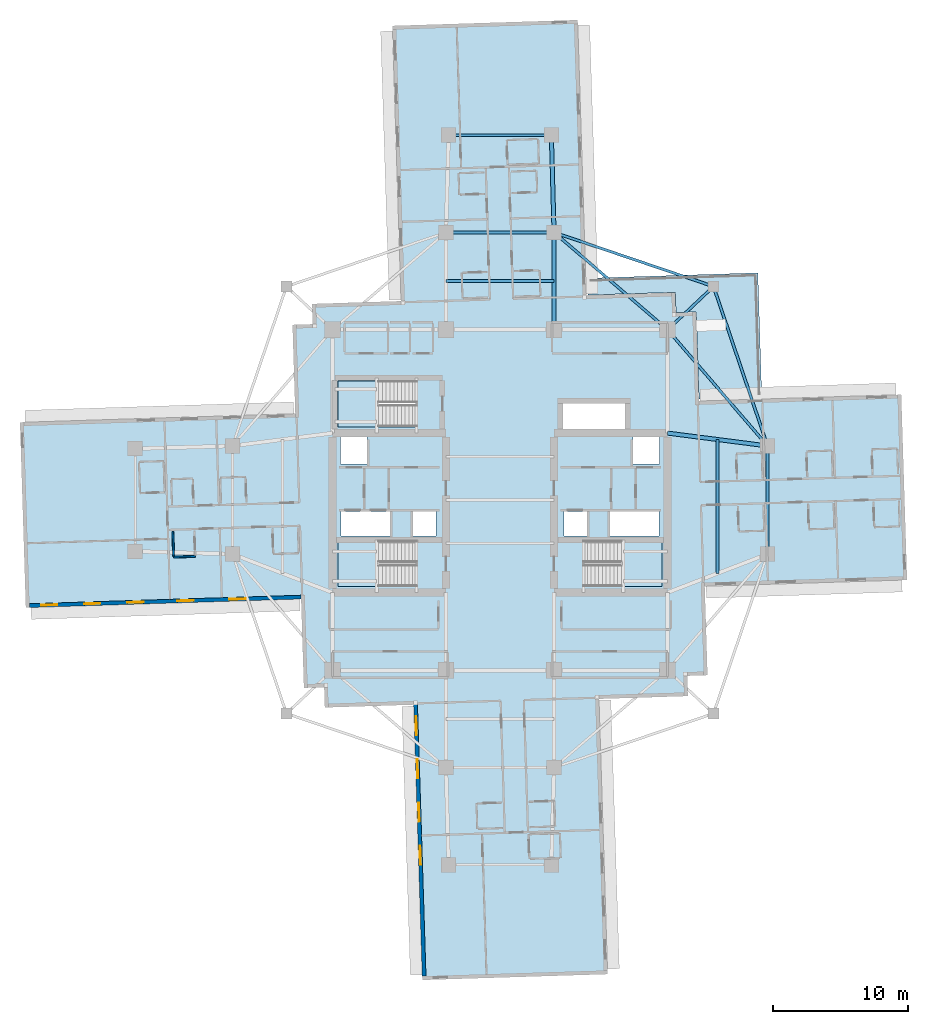
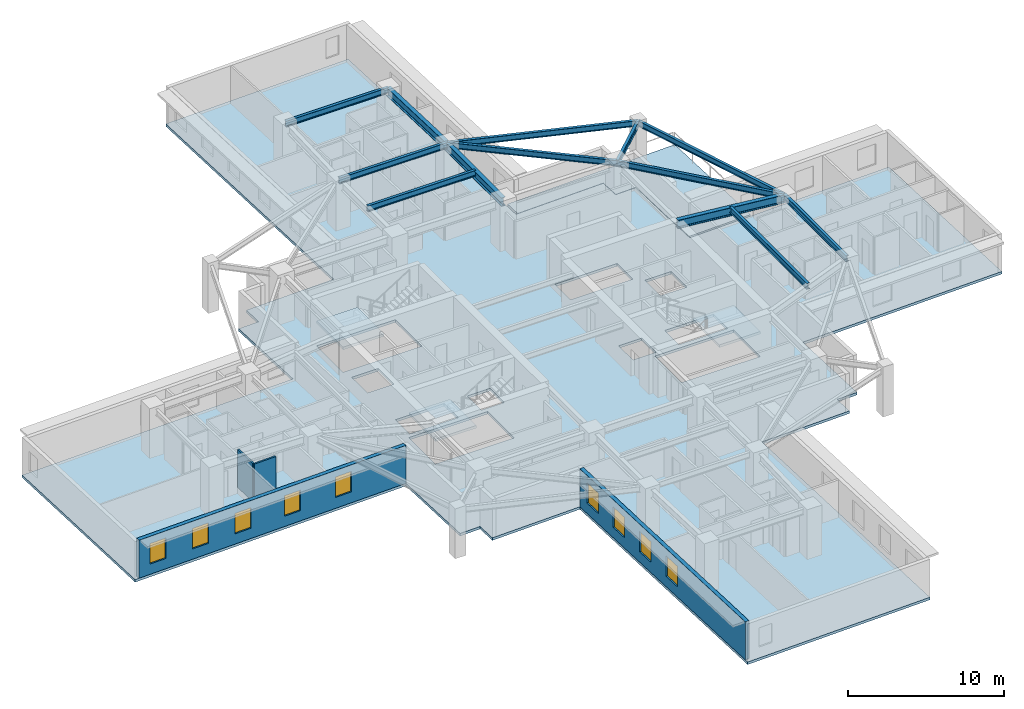
# One storey, part 2 of 14: 13 beams, 9 windows, 5 slabs, 4 walls, 9 openings, 3 elements without a shape of their own.
"""IFC4 building model written with IfcOpenShell, lengths in metres."""

from ifc_helpers import new_model, si_unit, direction, frame, frame_2d, origin, origin_2d, place, context, subcontext, project, spatial, polyline, rectangle, i_section, outline, extrude, material, layer, layer_set, material_profile, profile_set, type_object, element, fill, aggregate, save


model = new_model("IFC4")

# Units and contexts
model_context = context("Model", 3, precision=1e-05, world=origin(), true_north=direction((0.0, 1.0)))
body_context = subcontext(model_context, "Body", "Model", "MODEL_VIEW")
ifc_project = project(units=[si_unit("LENGTHUNIT", "METRE"), si_unit("AREAUNIT", "SQUARE_METRE"), si_unit("VOLUMEUNIT", "CUBIC_METRE"), si_unit("PLANEANGLEUNIT", "RADIAN"), si_unit("MASSUNIT", "GRAM", prefix="KILO")], contexts=[model_context])

# Site, building, storey
site_placement = place(None, origin())
site = spatial("IfcSite", under=ifc_project, at=site_placement, CompositionType="ELEMENT")
building_placement = place(site_placement, origin())
building = spatial("IfcBuilding", under=site, at=building_placement, Name="Qingluan Cross Belvedere", CompositionType="ELEMENT")
storey_placement = place(building_placement, frame((0.0, 0.0, 135.89990234375)))
storey = spatial("IfcBuildingStorey", under=building, at=storey_placement, Name="L34", CompositionType="ELEMENT", Elevation=135.89990234375)

# Beams
ifc_material_1 = material(Name="Steel Q420GJB", Category="steel")
ifc_material_profile_1 = material_profile(ifc_material_1, i_section(OverallWidth=0.199951171875, OverallDepth=0.449951171875, WebThickness=0.009033203125, FlangeThickness=0.013916015625, FilletRadius=0.01611328125, at=origin_2d()), Name="HN450x200x9x14")
ifc_profile_set_1 = profile_set([ifc_material_profile_1], Name="Steel Q420GJB")
beam_type_1 = type_object("IfcBeamType", Name="Steel_Beam_HN450x200x9x14", PredefinedType="JOIST", material=ifc_profile_set_1)
beam_1_placement = place(storey_placement, frame((12.39990234375, 12.60009765625, 3.47509765625), z_axis=(0.728219948308, 0.685343495546, 0.0), x_axis=(-0.685343495546, 0.728219948308, 0.0)))
element("IfcBeam", 1, at=beam_1_placement, inside=storey, type_object=beam_type_1, Name="Corner beam 1 L34-RNE", PredefinedType="JOIST", context=body_context, shape_type="SweptSolid", body=[
    extrude(i_section(OverallWidth=0.199951171875, OverallDepth=0.449951171875, WebThickness=0.009033203125, FlangeThickness=0.013916015625, FilletRadius=0.01611328125, at=origin_2d()), origin(), (0.0, 0.0, 1.0), 4.669189453125),
])
for number, where, z_axis, x_axis, name in (
    (2, (15.800048828125, 15.800048828125, 3.47509765625), (-0.947066283324, 0.321038089628, 0.0), (-0.321038089628, -0.947066283324, 0.0), "Corner beam 2 L34-RNE"),
    (3, (15.800048828125, 15.800048828125, 3.47509765625), (0.321038089628, -0.947066283324, 0.0), (0.947066283324, 0.321038089628, 0.0), "Corner beam 3 L34-RNE"),
):
    element("IfcBeam", number, at=place(storey_placement, frame(where, z_axis=z_axis, x_axis=x_axis)), inside=storey, type_object=beam_type_1, Name=name, PredefinedType="JOIST", context=body_context, shape_type="SweptSolid", body=[
        extrude(i_section(OverallWidth=0.199951171875, OverallDepth=0.449951171875, WebThickness=0.009033203125, FlangeThickness=0.013916015625, FilletRadius=0.01611328125, at=origin_2d()), origin(), (0.0, 0.0, 1.0), 12.45947265625),
    ])
beam_2_placement = place(storey_placement, frame((12.39990234375, 12.60009765625, 3.47509765625), z_axis=(0.652245077546, -0.75800815221, 0.0), x_axis=(0.75800815221, 0.652245077546, 0.0)))
element("IfcBeam", 4, at=beam_2_placement, inside=storey, type_object=beam_type_1, Name="Corner beam 4 L34-RNE", PredefinedType="JOIST", context=body_context, shape_type="SweptSolid", body=[
    extrude(i_section(OverallWidth=0.199951171875, OverallDepth=0.449951171875, WebThickness=0.009033203125, FlangeThickness=0.013916015625, FilletRadius=0.01611328125, at=origin_2d()), origin(), (0.0, 0.0, 1.0), 11.345703125),
])
beam_3_placement = place(storey_placement, frame((12.39990234375, 12.60009765625, 3.47509765625), z_axis=(-0.759255044656, 0.650793190779, 0.0), x_axis=(-0.650793190779, -0.759255044656, 0.0)))
element("IfcBeam", 5, at=beam_3_placement, inside=storey, type_object=beam_type_1, Name="Corner beam 5 L34-RNE", PredefinedType="JOIST", context=body_context, shape_type="SweptSolid", body=[
    extrude(i_section(OverallWidth=0.199951171875, OverallDepth=0.449951171875, WebThickness=0.009033203125, FlangeThickness=0.013916015625, FilletRadius=0.01611328125, at=origin_2d()), origin(), (0.0, 0.0, 1.0), 11.063232421875),
])
beam_4_placement = place(storey_placement, frame((19.800048828125, -4.0, 3.47509765625), z_axis=(0.0, 1.0, 0.0), x_axis=(-1.0, 0.0, 0.0)))
element("IfcBeam", 6, at=beam_4_placement, inside=storey, type_object=beam_type_1, Name="Arm E tie L34", PredefinedType="JOIST", context=body_context, shape_type="SweptSolid", body=[
    extrude(i_section(OverallWidth=0.199951171875, OverallDepth=0.449951171875, WebThickness=0.009033203125, FlangeThickness=0.013916015625, FilletRadius=0.01611328125, at=origin_2d()), origin(), (0.0, 0.0, 1.0), 8.0),
])
beam_5_placement = place(storey_placement, frame((16.10009765625, -5.425048828125, 3.47509765625), z_axis=(0.0, 1.0, 0.0), x_axis=(-1.0, 0.0, 0.0)))
element("IfcBeam", 7, at=beam_5_placement, inside=storey, type_object=beam_type_1, Name="Arm E beam L34", PredefinedType="JOIST", context=body_context, shape_type="SweptSolid", body=[
    extrude(i_section(OverallWidth=0.199951171875, OverallDepth=0.449951171875, WebThickness=0.009033203125, FlangeThickness=0.013916015625, FilletRadius=0.01611328125, at=origin_2d()), origin(), (0.0, 0.0, 1.0), 9.900146484375),
])
for number, where, z_axis, x_axis, name in (
    (8, (-4.0, 19.800048828125, 3.47509765625), (1.0, 0.0, 0.0), (0.0, 1.0, 0.0), "Arm N tie L34"),
    (9, (-4.0, 16.199951171875, 3.47509765625), (1.0, 0.0, 0.0), (0.0, 1.0, 0.0), "Arm N beam L34"),
):
    element("IfcBeam", number, at=place(storey_placement, frame(where, z_axis=z_axis, x_axis=x_axis)), inside=storey, type_object=beam_type_1, Name=name, PredefinedType="JOIST", context=body_context, shape_type="SweptSolid", body=[
        extrude(i_section(OverallWidth=0.199951171875, OverallDepth=0.449951171875, WebThickness=0.009033203125, FlangeThickness=0.013916015625, FilletRadius=0.01611328125, at=origin_2d()), origin(), (0.0, 0.0, 1.0), 8.0),
    ])
beam_6_placement = place(storey_placement, frame((-3.800048828125, 27.0, 3.47509765625), z_axis=(1.0, 0.0, 0.0), x_axis=(0.0, 1.0, 0.0)))
element("IfcBeam", 10, at=beam_6_placement, inside=storey, type_object=beam_type_1, Name="Arm N tip transverse beam L34", PredefinedType="JOIST", context=body_context, shape_type="SweptSolid", body=[
    extrude(i_section(OverallWidth=0.199951171875, OverallDepth=0.449951171875, WebThickness=0.009033203125, FlangeThickness=0.013916015625, FilletRadius=0.01611328125, at=origin_2d()), origin(), (0.0, 0.0, 1.0), 7.60009765625),
])
ifc_material_2 = material(Name="Steel Q420GJB", Category="steel")
ifc_material_profile_2 = material_profile(ifc_material_2, i_section(OverallWidth=0.300048828125, OverallDepth=0.64990234375, WebThickness=0.014404296875, FlangeThickness=0.02587890625, FilletRadius=0.027099609375, at=origin_2d()), Name="HEB650")
ifc_profile_set_2 = profile_set([ifc_material_profile_2], Name="Steel Q420GJB")
beam_type_2 = type_object("IfcBeamType", Name="Steel_Girder_HEB650", PredefinedType="USERDEFINED", material=ifc_profile_set_2)
beam_7_placement = place(storey_placement, frame((12.39990234375, 4.949951171875, 3.375), z_axis=(0.991861120628, -0.12732445714, 0.0), x_axis=(0.12732445714, 0.991861120628, 0.0)))
element("IfcBeam", 11, at=beam_7_placement, inside=storey, type_object=beam_type_2, Name="Arm E radial girder B L34", ObjectType="GIRDER", PredefinedType="USERDEFINED", context=body_context, shape_type="SweptSolid", body=[
    extrude(i_section(OverallWidth=0.300048828125, OverallDepth=0.64990234375, WebThickness=0.014404296875, FlangeThickness=0.02587890625, FilletRadius=0.027099609375, at=origin_2d()), origin(), (0.0, 0.0, 1.0), 7.4609375),
])
beam_8_placement = place(storey_placement, frame((4.0, 12.60009765625, 3.375), z_axis=(0.0, 1.0, 0.0), x_axis=(-1.0, 0.0, 0.0)))
element("IfcBeam", 12, at=beam_8_placement, inside=storey, type_object=beam_type_2, Name="Arm N radial girder B L34", ObjectType="GIRDER", PredefinedType="USERDEFINED", context=body_context, shape_type="SweptSolid", body=[
    extrude(i_section(OverallWidth=0.300048828125, OverallDepth=0.64990234375, WebThickness=0.014404296875, FlangeThickness=0.02587890625, FilletRadius=0.027099609375, at=origin_2d()), origin(), (0.0, 0.0, 1.0), 7.199951171875),
])
beam_9_placement = place(storey_placement, frame((4.0, 19.800048828125, 3.375), z_axis=(-0.027760481514, 0.999614603568, 0.0), x_axis=(-0.999614603568, -0.027760481514, 0.0)))
element("IfcBeam", 13, at=beam_9_placement, inside=storey, type_object=beam_type_2, Name="Arm N outer radial girder B L34", ObjectType="GIRDER", PredefinedType="USERDEFINED", context=body_context, shape_type="SweptSolid", body=[
    extrude(i_section(OverallWidth=0.300048828125, OverallDepth=0.64990234375, WebThickness=0.014404296875, FlangeThickness=0.02587890625, FilletRadius=0.027099609375, at=origin_2d()), origin(), (0.0, 0.0, 1.0), 7.20263671875),
])

# Slab
ifc_material_3 = material(Name="Concrete C40", Category="concrete")
ifc_layer_1 = layer(ifc_material_3, 0.199951171875, Name="FloorSlab_200")
ifc_layer_set_1 = layer_set([ifc_layer_1], Name="Concrete C40")
slab_type_1 = type_object("IfcSlabType", Name="FloorSlab_200", PredefinedType="FLOOR", material=ifc_layer_set_1)
slab_1_placement = place(storey_placement, frame((0.0, 0.0, -0.199951171875)))
element("IfcSlab", 14, at=slab_1_placement, inside=storey, type_object=slab_type_1, Name="Structural floor slab L34", PredefinedType="FLOOR", context=body_context, shape_type="SweptSolid", body=[
    extrude(outline(polyline([(7.966064453125, -35.087158203125), (7.325927734375, -14.71728515625), (13.902587890625, -14.510498046875), (13.85546875, -13.01123046875), (15.354736328125, -12.964111328125), (15.148193359375, -6.38720703125), (30.12060546875, -5.916748046875), (29.689697265625, 7.79638671875), (14.71728515625, 7.325927734375), (14.510498046875, 13.902587890625), (13.01123046875, 13.85546875), (12.964111328125, 15.354736328125), (6.38720703125, 15.148193359375), (5.747314453125, 35.51806640625), (-7.966064453125, 35.087158203125), (-7.325927734375, 14.71728515625), (-13.902587890625, 14.510498046875), (-13.85546875, 13.01123046875), (-15.354736328125, 12.964111328125), (-15.148193359375, 6.38720703125), (-35.51806640625, 5.747314453125), (-35.087158203125, -7.966064453125), (-14.71728515625, -7.325927734375), (-14.510498046875, -13.902587890625), (-13.01123046875, -13.85546875), (-12.964111328125, -15.354736328125), (-6.38720703125, -15.148193359375), (-5.747314453125, -35.51806640625), (7.966064453125, -35.087158203125)]), holes=[polyline([(-12.0, -3.0), (-6.179931640625, -3.0), (-6.179931640625, -6.39990234375), (-12.0, -6.39990234375), (-12.0, -3.0)]), polyline([(6.179931640625, -3.0), (12.0, -3.0), (12.0, -6.39990234375), (6.179931640625, -6.39990234375), (6.179931640625, -3.0)]), polyline([(-12.0, 8.820068359375), (-6.179931640625, 8.820068359375), (-6.179931640625, 5.419921875), (-12.0, 5.419921875), (-12.0, 8.820068359375)]), polyline([(-11.800048828125, 4.64990234375), (-9.85009765625, 4.64990234375), (-9.85009765625, 2.64990234375), (-11.800048828125, 2.64990234375), (-11.800048828125, 4.64990234375)]), polyline([(9.85009765625, 4.64990234375), (11.800048828125, 4.64990234375), (11.800048828125, 2.64990234375), (9.85009765625, 2.64990234375), (9.85009765625, 4.64990234375)]), polyline([(-11.75, -0.840087890625), (-8.14990234375, -0.840087890625), (-8.14990234375, -2.659912109375), (-11.75, -2.659912109375), (-11.75, -0.840087890625)]), polyline([(-6.449951171875, -0.840087890625), (-4.75, -0.840087890625), (-4.75, -2.659912109375), (-6.449951171875, -2.659912109375), (-6.449951171875, -0.840087890625)]), polyline([(4.75, -0.840087890625), (6.449951171875, -0.840087890625), (6.449951171875, -2.659912109375), (4.75, -2.659912109375), (4.75, -0.840087890625)]), polyline([(8.14990234375, -0.840087890625), (11.75, -0.840087890625), (11.75, -2.659912109375), (8.14990234375, -2.659912109375), (8.14990234375, -0.840087890625)]), polyline([(4.64990234375, 7.14990234375), (9.25, 7.14990234375), (9.25, 5.14990234375), (4.64990234375, 5.14990234375), (4.64990234375, 7.14990234375)])]), origin(), (0.0, 0.0, 1.0), 0.199951171875),
])

# Stair, slab
ifc_material_4 = material(Name="Concrete C40", Category="concrete")
stair_type = type_object("IfcStairType", Name="CoreDoglegStair_1620", PredefinedType="HALF_TURN_STAIR", material=ifc_material_4)
stair_1_placement = place(storey_placement, origin())
stair_1 = element("IfcStair", 15, at=stair_1_placement, inside=storey, type_object=stair_type, Name="L34 ST1", PredefinedType="HALF_TURN_STAIR")
ifc_material_5 = material(Name="Concrete C40", Category="concrete")
ifc_layer_2 = layer(ifc_material_5, 0.179931640625, Name="StairLandingSlab_180")
ifc_layer_set_2 = layer_set([ifc_layer_2], Name="Concrete C40")
slab_type_2 = type_object("IfcSlabType", Name="StairLandingSlab_180", PredefinedType="LANDING", material=ifc_layer_set_2)
slab_2_placement = place(storey_placement, frame((0.0, 0.0, 1.75)))
slab_2 = element("IfcSlab", 16, at=slab_2_placement, type_object=slab_type_2, Name="ST1 landing 1", PredefinedType="LANDING", context=body_context, shape_type="SweptSolid", body=[
    extrude(outline(polyline([(-8.97998046875, -3.0), (-12.0, -3.0), (-12.0, -6.39990234375), (-8.97998046875, -6.39990234375), (-8.97998046875, -3.0)])), origin(), (0.0, 0.0, 1.0), 0.2001953125),
])
aggregate(stair_1, [slab_2])

stair_2_placement = place(storey_placement, origin())
stair_2 = element("IfcStair", 17, at=stair_2_placement, inside=storey, type_object=stair_type, Name="L34 ST2", PredefinedType="HALF_TURN_STAIR")
slab_3_placement = place(storey_placement, frame((0.0, 0.0, 1.75)))
slab_3 = element("IfcSlab", 18, at=slab_3_placement, type_object=slab_type_2, Name="ST2 landing 1", PredefinedType="LANDING", context=body_context, shape_type="SweptSolid", body=[
    extrude(outline(polyline([(8.97998046875, -6.39990234375), (12.0, -6.39990234375), (12.0, -3.0), (8.97998046875, -3.0), (8.97998046875, -6.39990234375)])), origin(), (0.0, 0.0, 1.0), 0.2001953125),
])
aggregate(stair_2, [slab_3])

stair_3_placement = place(storey_placement, origin())
stair_3 = element("IfcStair", 19, at=stair_3_placement, inside=storey, type_object=stair_type, Name="L34 ST3", PredefinedType="HALF_TURN_STAIR")
slab_4_placement = place(storey_placement, frame((0.0, 0.0, 1.75)))
slab_4 = element("IfcSlab", 20, at=slab_4_placement, type_object=slab_type_2, Name="ST3 landing 1", PredefinedType="LANDING", context=body_context, shape_type="SweptSolid", body=[
    extrude(outline(polyline([(-8.97998046875, 8.820068359375), (-12.0, 8.820068359375), (-12.0, 5.419921875), (-8.97998046875, 5.419921875), (-8.97998046875, 8.820068359375)])), origin(), (0.0, 0.0, 1.0), 0.2001953125),
])
aggregate(stair_3, [slab_4])

# Slab
ifc_material_6 = material(Name="Concrete C40", Category="concrete")
ifc_layer_3 = layer(ifc_material_6, 0.219970703125, Name="TerraceSlab_220")
ifc_layer_set_3 = layer_set([ifc_layer_3], Name="Concrete C40")
slab_type_3 = type_object("IfcSlabType", Name="TerraceSlab_220", PredefinedType="FLOOR", material=ifc_layer_set_3)
slab_5_placement = place(storey_placement, frame((0.0, 0.0, -0.219970703125)))
element("IfcSlab", 21, at=slab_5_placement, inside=storey, type_object=slab_type_3, Name="Spiralling winter-garden terrace slab L34", PredefinedType="FLOOR", context=body_context, shape_type="SweptSolid", body=[
    extrude(outline(polyline([(6.527099609375, 15.16259765625), (12.969482421875, 15.36328125), (13.02099609375, 13.86572265625), (14.51025390625, 13.91259765625), (14.520263671875, 13.90478515625), (14.72265625, 7.466064453125), (19.37060546875, 7.6123046875), (19.08154296875, 16.8076171875), (6.48779296875, 16.411865234375), (6.527099609375, 15.16259765625)])), origin(), (0.0, 0.0, 1.0), 0.219970703125),
])

# Walls
ifc_material_7 = material(Name="Moisture-resistant gypsum board lining")
ifc_layer_4 = layer(ifc_material_7, 0.1201171875, Name="EnsuiteWetPartition_120")
ifc_layer_set_4 = layer_set([ifc_layer_4], Name="Moisture-resistant gypsum board lining")
wall_type_1 = type_object("IfcWallType", Name="EnsuiteWetPartition_120", PredefinedType="PARTITIONING", material=ifc_layer_set_4)
wall_1_placement = place(storey_placement, frame((-24.151123046875, -4.16064453125, 0.0), z_axis=(0.0, 0.0, 1.0), x_axis=(-0.03152371574, 0.999503004171, 0.0)))
element("IfcWall", 22, at=wall_1_placement, inside=storey, type_object=wall_type_1, Name="Partition L34:W:bw1_1", PredefinedType="PARTITIONING", context=body_context, shape_type="SweptSolid", body=[
    extrude(rectangle(XDim=1.820068359375, YDim=0.1201171875, at=frame_2d((0.91015625, 0.0))), origin(), (0.0, 0.0, 1.0), 2.960205078125),
])
wall_2_placement = place(storey_placement, frame((-22.550048828125, -4.17529296875, 0.0), z_axis=(0.0, 0.0, 1.0), x_axis=(-0.999505803333, -0.031434839006, 0.0)))
element("IfcWall", 23, at=wall_2_placement, inside=storey, type_object=wall_type_1, Name="Partition L34:W:bc1_1", PredefinedType="PARTITIONING", context=body_context, shape_type="SweptSolid", body=[
    extrude(rectangle(XDim=1.599853515625, YDim=0.1201171875, at=frame_2d((0.7998046875, 0.0))), origin(), (0.0, 0.0, 1.0), 2.960205078125),
])

# Wall, openings, windows
ifc_material_8 = material(Name="Precast concrete C45", Category="concrete")
ifc_layer_5 = layer(ifc_material_8, 0.280029296875, Name="PrecastFacadeWall_280")
ifc_layer_set_5 = layer_set([ifc_layer_5], Name="Precast concrete C45")
wall_type_2 = type_object("IfcWallType", Name="PrecastFacadeWall_280", PredefinedType="STANDARD", material=ifc_layer_set_5)
wall_3_placement = place(storey_placement, frame((-34.8115234375, -7.8173828125, 0.0), z_axis=(0.0, 0.0, 1.0), x_axis=(0.999506574096, 0.031410322165, 0.0)))
wall_3 = element("IfcWall", 24, at=wall_3_placement, inside=storey, type_object=wall_type_2, Name="Facade wall L34-WB", PredefinedType="STANDARD", context=body_context, shape_type="SweptSolid", body=[
    extrude(rectangle(XDim=20.10009765625, YDim=0.280029296875, at=frame_2d((10.050048828125, 0.0))), origin(), (0.0, 0.0, 1.0), 2.97021484375),
])
opening_1_placement = place(wall_3_placement, frame((0.85009765625, 0.0, 0.800048828125)))
opening_1 = element("IfcOpeningElement", 25, at=opening_1_placement, cuts=wall_3, Name="Opening W-02", PredefinedType="OPENING", context=body_context, shape_type="SweptSolid", body=[
    extrude(rectangle(XDim=1.199951171875, YDim=1.60009765625, at=frame_2d((0.60009765625, 0.800048828125))), frame((0.0, 0.14990234375, 0.0), z_axis=(0.0, -1.0, 0.0), x_axis=(1.0, 0.0, 0.0)), (0.0, 0.0, 1.0), 0.300048828125),
])
opening_2_placement = place(wall_3_placement, frame((4.050048828125, 0.0, 0.800048828125)))
opening_2 = element("IfcOpeningElement", 26, at=opening_2_placement, cuts=wall_3, Name="Opening W-02", PredefinedType="OPENING", context=body_context, shape_type="SweptSolid", body=[
    extrude(rectangle(XDim=1.199951171875, YDim=1.60009765625, at=frame_2d((0.60009765625, 0.800048828125))), frame((0.0, 0.14990234375, 0.0), z_axis=(0.0, -1.0, 0.0), x_axis=(1.0, 0.0, 0.0)), (0.0, 0.0, 1.0), 0.300048828125),
])
opening_3_placement = place(wall_3_placement, frame((7.25, 0.0, 0.800048828125)))
opening_3 = element("IfcOpeningElement", 27, at=opening_3_placement, cuts=wall_3, Name="Opening W-02", PredefinedType="OPENING", context=body_context, shape_type="SweptSolid", body=[
    extrude(rectangle(XDim=1.199951171875, YDim=1.60009765625, at=frame_2d((0.60009765625, 0.800048828125))), frame((0.0, 0.14990234375, 0.0), z_axis=(0.0, -1.0, 0.0), x_axis=(1.0, 0.0, 0.0)), (0.0, 0.0, 1.0), 0.300048828125),
])
opening_4_placement = place(wall_3_placement, frame((10.949951171875, 0.0, 0.800048828125)))
opening_4 = element("IfcOpeningElement", 28, at=opening_4_placement, cuts=wall_3, Name="Opening W-02", PredefinedType="OPENING", context=body_context, shape_type="SweptSolid", body=[
    extrude(rectangle(XDim=1.199951171875, YDim=1.60009765625, at=frame_2d((0.60009765625, 0.800048828125))), frame((0.0, 0.14990234375, 0.0), z_axis=(0.0, -1.0, 0.0), x_axis=(1.0, 0.0, 0.0)), (0.0, 0.0, 1.0), 0.300048828125),
])
opening_5_placement = place(wall_3_placement, frame((14.799072265625, 0.0, 0.85009765625)))
opening_5 = element("IfcOpeningElement", 29, at=opening_5_placement, cuts=wall_3, Name="Opening W-02", PredefinedType="OPENING", context=body_context, shape_type="SweptSolid", body=[
    extrude(rectangle(XDim=1.199951171875, YDim=1.60009765625, at=frame_2d((0.60009765625, 0.800048828125))), frame((0.0, 0.14990234375, 0.0), z_axis=(0.0, -1.0, 0.0), x_axis=(1.0, 0.0, 0.0)), (0.0, 0.0, 1.0), 0.300048828125),
])
ifc_material_9 = material(Name="Thermally broken triple Low-E glass in aluminium frame", Category="aluminium")
window_type_1 = type_object("IfcWindowType", Name="TriRibbonWin_1200x1600", PartitioningType="SINGLE_PANEL", PredefinedType="WINDOW", material=ifc_material_9)
window_1_placement = place(opening_1_placement, origin())
window_1 = element("IfcWindow", 30, at=window_1_placement, inside=storey, type_object=window_type_1, Name="Ribbon window L34-WB-1", OverallHeight=1.60009765625, OverallWidth=1.199951171875, PartitioningType="SINGLE_PANEL", PredefinedType="WINDOW", context=body_context, shape_type="SweptSolid", body=[
    extrude(rectangle(XDim=1.199951171875, YDim=1.60009765625, at=frame_2d((0.60009765625, 0.800048828125))), frame((0.0, 0.030029296875, 0.0), z_axis=(0.0, -1.0, 0.0), x_axis=(1.0, 0.0, 0.0)), (0.0, 0.0, 1.0), 0.06005859375),
])
fill(opening_1, window_1)
window_2_placement = place(opening_2_placement, origin())
window_2 = element("IfcWindow", 31, at=window_2_placement, inside=storey, type_object=window_type_1, Name="Ribbon window L34-WB-2", OverallHeight=1.60009765625, OverallWidth=1.199951171875, PartitioningType="SINGLE_PANEL", PredefinedType="WINDOW", context=body_context, shape_type="SweptSolid", body=[
    extrude(rectangle(XDim=1.199951171875, YDim=1.60009765625, at=frame_2d((0.60009765625, 0.800048828125))), frame((0.0, 0.030029296875, 0.0), z_axis=(0.0, -1.0, 0.0), x_axis=(1.0, 0.0, 0.0)), (0.0, 0.0, 1.0), 0.06005859375),
])
fill(opening_2, window_2)
window_3_placement = place(opening_3_placement, origin())
window_3 = element("IfcWindow", 32, at=window_3_placement, inside=storey, type_object=window_type_1, Name="Ribbon window L34-WB-3", OverallHeight=1.60009765625, OverallWidth=1.199951171875, PartitioningType="SINGLE_PANEL", PredefinedType="WINDOW", context=body_context, shape_type="SweptSolid", body=[
    extrude(rectangle(XDim=1.199951171875, YDim=1.60009765625, at=frame_2d((0.60009765625, 0.800048828125))), frame((0.0, 0.030029296875, 0.0), z_axis=(0.0, -1.0, 0.0), x_axis=(1.0, 0.0, 0.0)), (0.0, 0.0, 1.0), 0.06005859375),
])
fill(opening_3, window_3)
window_4_placement = place(opening_4_placement, origin())
window_4 = element("IfcWindow", 33, at=window_4_placement, inside=storey, type_object=window_type_1, Name="Ribbon window L34-WB-4", OverallHeight=1.60009765625, OverallWidth=1.199951171875, PartitioningType="SINGLE_PANEL", PredefinedType="WINDOW", context=body_context, shape_type="SweptSolid", body=[
    extrude(rectangle(XDim=1.199951171875, YDim=1.60009765625, at=frame_2d((0.60009765625, 0.800048828125))), frame((0.0, 0.030029296875, 0.0), z_axis=(0.0, -1.0, 0.0), x_axis=(1.0, 0.0, 0.0)), (0.0, 0.0, 1.0), 0.06005859375),
])
fill(opening_4, window_4)
window_5_placement = place(opening_5_placement, origin())
window_5 = element("IfcWindow", 34, at=window_5_placement, inside=storey, type_object=window_type_1, Name="Deluxe guest room 3409 daylight window", OverallHeight=1.60009765625, OverallWidth=1.199951171875, PartitioningType="SINGLE_PANEL", PredefinedType="WINDOW", context=body_context, shape_type="SweptSolid", body=[
    extrude(rectangle(XDim=1.199951171875, YDim=1.60009765625, at=frame_2d((0.60009765625, 0.800048828125))), frame((0.0, 0.030029296875, 0.0), z_axis=(0.0, -1.0, 0.0), x_axis=(1.0, 0.0, 0.0)), (0.0, 0.0, 1.0), 0.06005859375),
])
fill(opening_5, window_5)

wall_4_placement = place(storey_placement, frame((-6.247314453125, -15.143798828125, 0.0), z_axis=(0.0, 0.0, 1.0), x_axis=(0.031398187845, -0.999506955354, 0.0)))
wall_4 = element("IfcWall", 35, at=wall_4_placement, inside=storey, type_object=wall_type_2, Name="Facade wall L34-SA", PredefinedType="STANDARD", context=body_context, shape_type="SweptSolid", body=[
    extrude(rectangle(XDim=20.10009765625, YDim=0.280029296875, at=frame_2d((10.050048828125, 0.0))), origin(), (0.0, 0.0, 1.0), 2.97021484375),
])
opening_6_placement = place(wall_4_placement, frame((0.85009765625, 0.0, 0.800048828125)))
opening_6 = element("IfcOpeningElement", 36, at=opening_6_placement, cuts=wall_4, Name="Opening W-01", PredefinedType="OPENING", context=body_context, shape_type="SweptSolid", body=[
    extrude(rectangle(XDim=1.39990234375, YDim=1.60009765625, at=frame_2d((0.699951171875, 0.800048828125))), frame((0.0, 0.14990234375, 0.0), z_axis=(0.0, -1.0, 0.0), x_axis=(1.0, 0.0, 0.0)), (0.0, 0.0, 1.0), 0.300048828125),
])
opening_7_placement = place(wall_4_placement, frame((4.050048828125, 0.0, 0.800048828125)))
opening_7 = element("IfcOpeningElement", 37, at=opening_7_placement, cuts=wall_4, Name="Opening W-01", PredefinedType="OPENING", context=body_context, shape_type="SweptSolid", body=[
    extrude(rectangle(XDim=1.39990234375, YDim=1.60009765625, at=frame_2d((0.699951171875, 0.800048828125))), frame((0.0, 0.14990234375, 0.0), z_axis=(0.0, -1.0, 0.0), x_axis=(1.0, 0.0, 0.0)), (0.0, 0.0, 1.0), 0.300048828125),
])
opening_8_placement = place(wall_4_placement, frame((7.25, 0.0, 0.800048828125)))
opening_8 = element("IfcOpeningElement", 38, at=opening_8_placement, cuts=wall_4, Name="Opening W-01", PredefinedType="OPENING", context=body_context, shape_type="SweptSolid", body=[
    extrude(rectangle(XDim=1.39990234375, YDim=1.60009765625, at=frame_2d((0.699951171875, 0.800048828125))), frame((0.0, 0.14990234375, 0.0), z_axis=(0.0, -1.0, 0.0), x_axis=(1.0, 0.0, 0.0)), (0.0, 0.0, 1.0), 0.300048828125),
])
opening_9_placement = place(wall_4_placement, frame((10.449951171875, 0.0, 0.800048828125)))
opening_9 = element("IfcOpeningElement", 39, at=opening_9_placement, cuts=wall_4, Name="Opening W-01", PredefinedType="OPENING", context=body_context, shape_type="SweptSolid", body=[
    extrude(rectangle(XDim=1.39990234375, YDim=1.60009765625, at=frame_2d((0.699951171875, 0.800048828125))), frame((0.0, 0.14990234375, 0.0), z_axis=(0.0, -1.0, 0.0), x_axis=(1.0, 0.0, 0.0)), (0.0, 0.0, 1.0), 0.300048828125),
])
ifc_material_10 = material(Name="Thermally broken triple Low-E glass in aluminium frame", Category="aluminium")
window_type_2 = type_object("IfcWindowType", Name="TriRibbonWin_1400x1600", PartitioningType="SINGLE_PANEL", PredefinedType="WINDOW", material=ifc_material_10)
window_6_placement = place(opening_6_placement, origin())
window_6 = element("IfcWindow", 40, at=window_6_placement, inside=storey, type_object=window_type_2, Name="Ribbon window L34-SA-1", OverallHeight=1.60009765625, OverallWidth=1.39990234375, PartitioningType="SINGLE_PANEL", PredefinedType="WINDOW", context=body_context, shape_type="SweptSolid", body=[
    extrude(rectangle(XDim=1.39990234375, YDim=1.60009765625, at=frame_2d((0.699951171875, 0.800048828125))), frame((0.0, 0.030029296875, 0.0), z_axis=(0.0, -1.0, 0.0), x_axis=(1.0, 0.0, 0.0)), (0.0, 0.0, 1.0), 0.06005859375),
])
fill(opening_6, window_6)
window_7_placement = place(opening_7_placement, origin())
window_7 = element("IfcWindow", 41, at=window_7_placement, inside=storey, type_object=window_type_2, Name="Ribbon window L34-SA-2", OverallHeight=1.60009765625, OverallWidth=1.39990234375, PartitioningType="SINGLE_PANEL", PredefinedType="WINDOW", context=body_context, shape_type="SweptSolid", body=[
    extrude(rectangle(XDim=1.39990234375, YDim=1.60009765625, at=frame_2d((0.699951171875, 0.800048828125))), frame((0.0, 0.030029296875, 0.0), z_axis=(0.0, -1.0, 0.0), x_axis=(1.0, 0.0, 0.0)), (0.0, 0.0, 1.0), 0.06005859375),
])
fill(opening_7, window_7)
window_8_placement = place(opening_8_placement, origin())
window_8 = element("IfcWindow", 42, at=window_8_placement, inside=storey, type_object=window_type_2, Name="Ribbon window L34-SA-3", OverallHeight=1.60009765625, OverallWidth=1.39990234375, PartitioningType="SINGLE_PANEL", PredefinedType="WINDOW", context=body_context, shape_type="SweptSolid", body=[
    extrude(rectangle(XDim=1.39990234375, YDim=1.60009765625, at=frame_2d((0.699951171875, 0.800048828125))), frame((0.0, 0.030029296875, 0.0), z_axis=(0.0, -1.0, 0.0), x_axis=(1.0, 0.0, 0.0)), (0.0, 0.0, 1.0), 0.06005859375),
])
fill(opening_8, window_8)
window_9_placement = place(opening_9_placement, origin())
window_9 = element("IfcWindow", 43, at=window_9_placement, inside=storey, type_object=window_type_2, Name="Ribbon window L34-SA-4", OverallHeight=1.60009765625, OverallWidth=1.39990234375, PartitioningType="SINGLE_PANEL", PredefinedType="WINDOW", context=body_context, shape_type="SweptSolid", body=[
    extrude(rectangle(XDim=1.39990234375, YDim=1.60009765625, at=frame_2d((0.699951171875, 0.800048828125))), frame((0.0, 0.030029296875, 0.0), z_axis=(0.0, -1.0, 0.0), x_axis=(1.0, 0.0, 0.0)), (0.0, 0.0, 1.0), 0.06005859375),
])
fill(opening_9, window_9)

save(model, "model.ifc")
